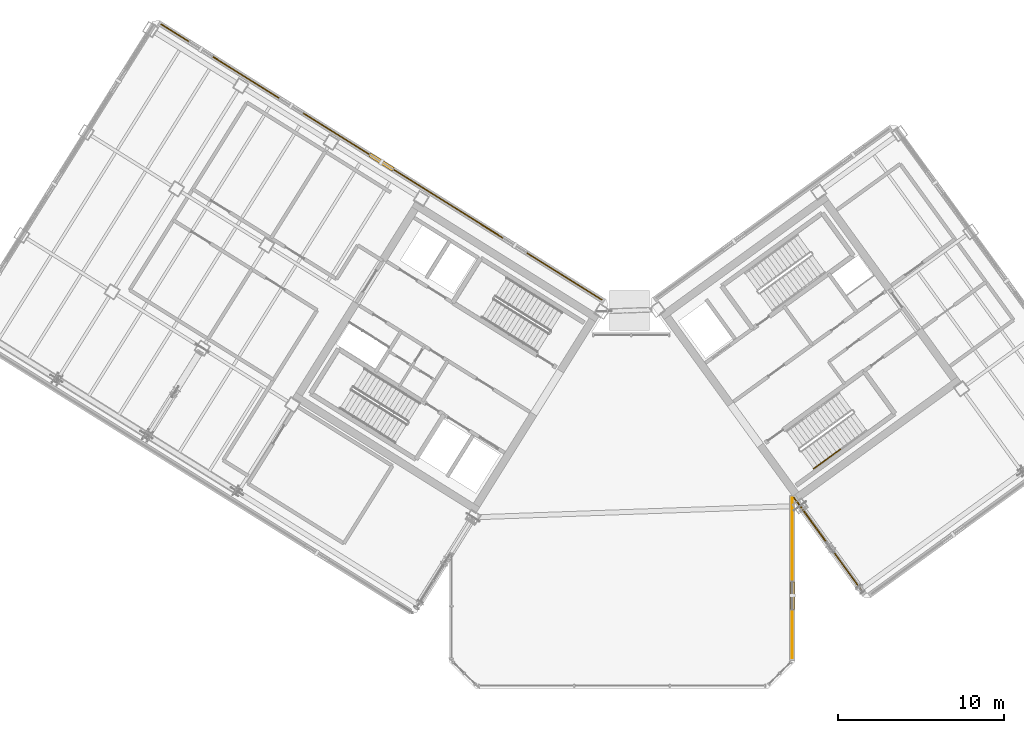
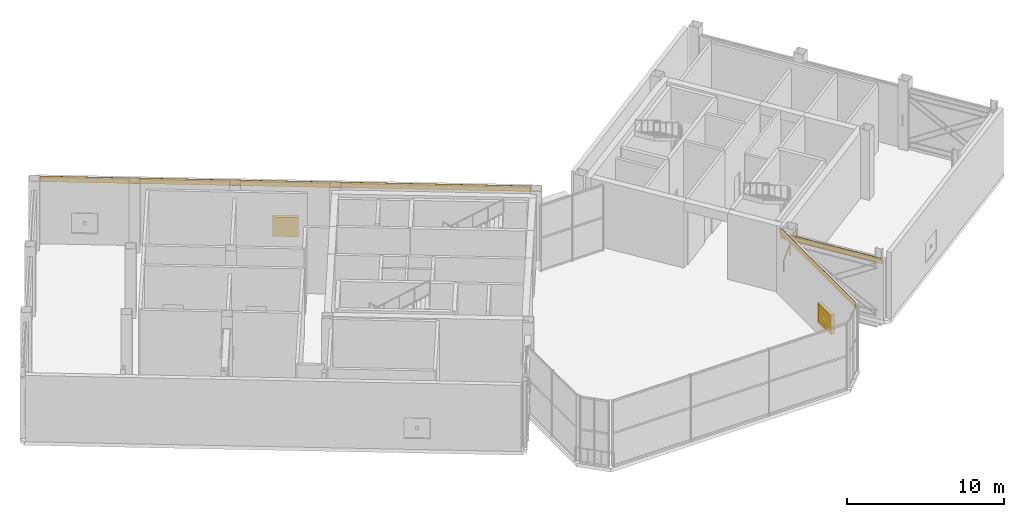
# One storey, part 29 of 32: 3 coverings, 2 shading devices, 1 railing.
"""IFC4 building model written with IfcOpenShell, lengths in metres."""

import ifcopenshell
import ifcopenshell.guid

model = None  # the IFC model being written
_history = None  # IfcOwnerHistory: only IFC2X3 demands one
_inside = {}  # id of a spatial element -> (the spatial element, [elements in it])
_under = {}  # id of a project, library or spatial element -> (it, [spatial elements below it])
_declared = {}  # id of a project -> (the project, [libraries it declares])
_typed = {}  # id of a type object -> (the type object, [elements of that type])
_made_of = {}  # id of a material, layer set ... -> (it, [elements and type objects made of it])


def new_model(schema):
    """Start an empty IFC model of exactly this schema.

    Asked for "IFC4X3", IfcOpenShell would pick the latest addendum, in which some entities
    have other attributes; the version numbers below select the first issue.
    IFC2X3 requires an IfcOwnerHistory on every rooted entity: one is made here for all.
    """
    global model, _history
    if schema == "IFC4X3":
        model = ifcopenshell.file(schema_version=(4, 3, 0, 0))
    else:
        model = ifcopenshell.file(schema=schema)
    _inside.clear()
    _under.clear()
    _declared.clear()
    _typed.clear()
    _made_of.clear()
    _history = None
    if model.schema == "IFC2X3":
        org = make("IfcOrganization", Name="unknown")
        user = make(
            "IfcPersonAndOrganization",
            ThePerson=make("IfcPerson", FamilyName="unknown"),
            TheOrganization=org,
        )
        app = make(
            "IfcApplication",
            ApplicationDeveloper=org,
            Version="unknown",
            ApplicationFullName="unknown",
            ApplicationIdentifier="unknown",
        )
        _history = make(
            "IfcOwnerHistory",
            OwningUser=user,
            OwningApplication=app,
            ChangeAction="ADDED",
            CreationDate=0,
        )
    return model


def make(cls, **values):
    """One entity of the class cls with the attributes given. An attribute that is None is left unset."""
    return model.create_entity(
        cls, **{name: value for name, value in values.items() if value is not None}
    )


def rooted(cls, **values):
    """An entity with a GlobalId (a new one), such as an element, a storey or a relation."""
    return make(cls, GlobalId=ifcopenshell.guid.new(), OwnerHistory=_history, **values)


def si_unit(unit_type, name, prefix=None):
    """IfcSIUnit, for example si_unit("LENGTHUNIT", "METRE", prefix="MILLI")."""
    return make("IfcSIUnit", UnitType=unit_type, Prefix=prefix, Name=name)


def assignment(units):
    """IfcUnitAssignment: the units of a project."""
    return None if units is None else make("IfcUnitAssignment", Units=units)


def point(xyz):
    """IfcCartesianPoint."""
    return None if xyz is None else make("IfcCartesianPoint", Coordinates=xyz)


def direction(xyz):
    """IfcDirection."""
    return None if xyz is None else make("IfcDirection", DirectionRatios=xyz)


def frame(location, z_axis=None, x_axis=None):
    """IfcAxis2Placement3D, a coordinate frame: its origin and axes. An axis left out is left unset."""
    return make(
        "IfcAxis2Placement3D",
        Location=point(location),
        Axis=direction(z_axis),
        RefDirection=direction(x_axis),
    )


def frame_2d(location, x_axis=None):
    """IfcAxis2Placement2D, a coordinate frame in the plane: its origin and x axis."""
    return make(
        "IfcAxis2Placement2D", Location=point(location), RefDirection=direction(x_axis)
    )


def origin():
    """The frame at (0, 0, 0) with its axes left unset."""
    return frame((0.0, 0.0, 0.0))


def origin_2d():
    """The frame at (0, 0) in the plane with its x axis left unset."""
    return frame_2d((0.0, 0.0))


def place(relative_to, where):
    """IfcLocalPlacement: puts the frame where relative to a parent placement (None: the world)."""
    return make(
        "IfcLocalPlacement", PlacementRelTo=relative_to, RelativePlacement=where
    )


def context(
    kind, dimensions, precision=None, world=None, true_north=None, identifier=None
):
    """IfcGeometricRepresentationContext, for example the 3D "Model" context."""
    return make(
        "IfcGeometricRepresentationContext",
        ContextIdentifier=identifier,
        ContextType=kind,
        CoordinateSpaceDimension=dimensions,
        Precision=precision,
        WorldCoordinateSystem=world,
        TrueNorth=true_north,
    )


def subcontext(parent, identifier, kind, view, scale=None):
    """IfcGeometricRepresentationSubContext, for example "Body" below "Model"."""
    return make(
        "IfcGeometricRepresentationSubContext",
        ContextIdentifier=identifier,
        ContextType=kind,
        ParentContext=parent,
        TargetScale=scale,
        TargetView=view,
    )


def project(units=None, contexts=None):
    """IfcProject with its units and contexts."""
    return rooted(
        "IfcProject",
        Name="project",
        RepresentationContexts=contexts,
        UnitsInContext=assignment(units),
    )


def spatial(cls, under=None, at=None, **own):
    """A site, building, storey or space (cls), placed at a placement, below another one or the project."""
    s = rooted(cls, ObjectPlacement=at, **own)
    if under is not None:
        _under.setdefault(under.id(), (under, []))[1].append(s)
    return s


def profile(cls, at=None, kind="AREA", **sizes):
    """A parametric profile (cls). Its sizes go by their IFC names, for example OverallWidth=200.0."""
    return make(cls, ProfileType=kind, Position=at, **sizes)


def rectangle(**sizes):
    """IfcRectangleProfileDef."""
    return profile("IfcRectangleProfileDef", **sizes)


def extrude(swept, where, along, depth):
    """IfcExtrudedAreaSolid: the profile swept, set in the frame where, extruded along a direction by depth."""
    return make(
        "IfcExtrudedAreaSolid",
        SweptArea=swept,
        Position=where,
        ExtrudedDirection=direction(along),
        Depth=depth,
    )


def shape(context_of_items, identifier, shape_type, items):
    """IfcShapeRepresentation: the items that make up one representation, for example the "Body"."""
    return make(
        "IfcShapeRepresentation",
        ContextOfItems=context_of_items,
        RepresentationIdentifier=identifier,
        RepresentationType=shape_type,
        Items=items,
    )


def source(mapping_origin, context_of_items, identifier, shape_type, items):
    """IfcRepresentationMap: a shape defined once, which mapped items show again and again."""
    return make(
        "IfcRepresentationMap",
        MappingOrigin=mapping_origin,
        MappedRepresentation=shape(context_of_items, identifier, shape_type, items),
    )


def transform(
    local_origin,
    x_axis=None,
    y_axis=None,
    z_axis=None,
    scale=None,
    scale2=None,
    scale3=None,
    uniform=True,
):
    """IfcCartesianTransformationOperator3D, or its non-uniform kind. x_axis, y_axis, z_axis: its Axis1, 2, 3."""
    if uniform:
        return make(
            "IfcCartesianTransformationOperator3D",
            Axis1=direction(x_axis),
            Axis2=direction(y_axis),
            LocalOrigin=point(local_origin),
            Scale=scale,
            Axis3=direction(z_axis),
        )
    return make(
        "IfcCartesianTransformationOperator3DnonUniform",
        Axis1=direction(x_axis),
        Axis2=direction(y_axis),
        LocalOrigin=point(local_origin),
        Scale=scale,
        Axis3=direction(z_axis),
        Scale2=scale2,
        Scale3=scale3,
    )


def mapped(mapping_source, mapping_target):
    """IfcMappedItem: shows the shape of a source again, moved by a transform."""
    return make(
        "IfcMappedItem", MappingSource=mapping_source, MappingTarget=mapping_target
    )


def material(Name=None, Category=None):
    """IfcMaterial."""
    return make("IfcMaterial", Name=Name, Category=Category)


def layer(
    of_material, thickness, ventilated=None, Name=None, Category=None, Priority=None
):
    """IfcMaterialLayer: one layer of a wall or slab, of a material (None: an air gap)."""
    return make(
        "IfcMaterialLayer",
        Material=of_material,
        LayerThickness=thickness,
        IsVentilated=ventilated,
        Name=Name,
        Category=Category,
        Priority=Priority,
    )


def layer_set(layers, Name=None):
    """IfcMaterialLayerSet."""
    return make("IfcMaterialLayerSet", MaterialLayers=layers, LayerSetName=Name)


def made_of(thing, what):
    """Note that an element or type object is made of a material, layer set ...; save() writes the relation."""
    if what is not None:
        _made_of.setdefault(what.id(), (what, []))[1].append(thing)
    return thing


def type_object(cls, material=None, **own):
    """A type object (cls), such as IfcWallType, which elements share."""
    return made_of(rooted(cls, **own), material)


def element(
    cls,
    number,
    at=None,
    inside=None,
    cuts=None,
    type_object=None,
    material=None,
    context=None,
    identifier="Body",
    shape_type=None,
    held_by="IfcProductDefinitionShape",
    body=None,
    shapes=None,
    **own,
):
    """One element of the class cls, such as IfcWall. Its Tag is "e" and its number.

    at: its placement. inside: the storey or other place that contains it. cuts: it is an
    opening in that element (IfcRelVoidsElement). A single representation is given by context,
    identifier, shape_type and body (its items); several are given by shapes. held_by: the class
    of the entity that holds the representations. save() writes the other relations.
    """
    e = rooted(cls, Tag="e%d" % number, ObjectPlacement=at, **own)
    if body is not None:
        shapes = [shape(context, identifier, shape_type, body)]
    if shapes is not None:
        e.Representation = make(held_by, Representations=shapes)
    if inside is not None:
        _inside.setdefault(inside.id(), (inside, []))[1].append(e)
    if cuts is not None:
        rooted(
            "IfcRelVoidsElement", RelatingBuildingElement=cuts, RelatedOpeningElement=e
        )
    if type_object is not None:
        _typed.setdefault(type_object.id(), (type_object, []))[1].append(e)
    return made_of(e, material)


def aggregate(whole, parts):
    """IfcRelAggregates: a whole, such as a stair, and the parts it consists of."""
    return rooted("IfcRelAggregates", RelatingObject=whole, RelatedObjects=parts)


def save(model, path):
    """Write the relations noted so far, then the file.

    IfcRelAggregates (storeys below a building ...), IfcRelContainedInSpatialStructure (elements
    in a storey), IfcRelDefinesByType, IfcRelAssociatesMaterial and IfcRelDeclares: one each for
    every whole, place, type object, material and project.
    """
    for whole, parts in _under.values():
        aggregate(whole, parts)
    for where, things in _inside.values():
        rooted(
            "IfcRelContainedInSpatialStructure",
            RelatedElements=things,
            RelatingStructure=where,
        )
    for kind, things in _typed.values():
        rooted("IfcRelDefinesByType", RelatedObjects=things, RelatingType=kind)
    for what, things in _made_of.values():
        rooted("IfcRelAssociatesMaterial", RelatedObjects=things, RelatingMaterial=what)
    for by, libraries in _declared.values():
        rooted("IfcRelDeclares", RelatingContext=by, RelatedDefinitions=libraries)
    model.write(path)


model = new_model("IFC4")

# Units and contexts
model_context = context("Model", 3, precision=1e-05, world=origin(), true_north=direction((0.0, 1.0)))
body_context = subcontext(model_context, "Body", "Model", "MODEL_VIEW")
ifc_project = project(units=[si_unit("LENGTHUNIT", "METRE"), si_unit("AREAUNIT", "SQUARE_METRE"), si_unit("VOLUMEUNIT", "CUBIC_METRE"), si_unit("PLANEANGLEUNIT", "RADIAN"), si_unit("MASSUNIT", "GRAM", prefix="KILO")], contexts=[model_context])

# Site, building, storey
site_placement = place(None, origin())
site = spatial("IfcSite", under=ifc_project, at=site_placement, CompositionType="ELEMENT")
building_placement = place(site_placement, origin())
building = spatial("IfcBuilding", under=site, at=building_placement, Name="Tlacorven Tower", CompositionType="ELEMENT")
storey_placement = place(building_placement, frame((0.0, 0.0, 245.699951171875)))
storey = spatial("IfcBuildingStorey", under=building, at=storey_placement, Name="L62", CompositionType="ELEMENT", Elevation=245.699951171875)

# Coverings
ifc_material_1 = material(Name="Precast concrete C45/55", Category="concrete")
ifc_layer = layer(ifc_material_1, 0.06005859375)
ifc_layer_set = layer_set([ifc_layer], Name="Precast concrete C45/55")
covering_type = type_object("IfcCoveringType", Name="CV-CLD-TERC", PredefinedType="CLADDING", material=ifc_layer_set)
shared_shape_1 = source(origin(), body_context, "Body", "SweptSolid", [
    extrude(rectangle(XDim=31.287353515625, YDim=0.06005859375, at=origin_2d()), origin(), (0.0, 0.0, 1.0), 0.419921875),
])
covering_1_placement = place(storey_placement, frame((27.5322265625, 33.455810546875, 4.72998046875), z_axis=(0.0, 0.0, 1.0), x_axis=(0.84804812172, -0.529919223323, 0.0)))
element("IfcCovering", 1, at=covering_1_placement, inside=storey, type_object=covering_type, Name="L62 Masonry-Frame Spandrel Cladding 3", PredefinedType="CLADDING", context=body_context, shape_type="MappedRepresentation", body=[
    mapped(shared_shape_1, transform((0.0, 0.0, 0.0), scale=1.0)),
])
shared_shape_2 = source(origin(), body_context, "Body", "SweptSolid", [
    extrude(rectangle(XDim=9.647705078125, YDim=0.06005859375, at=origin_2d()), origin(), (0.0, 0.0, 1.0), 0.419921875),
])
covering_2_placement = place(storey_placement, frame((52.239990234375, 8.440185546875, 4.72998046875), z_axis=(0.0, 0.0, 1.0), x_axis=(0.0, -1.0, 0.0)))
element("IfcCovering", 2, at=covering_2_placement, inside=storey, type_object=covering_type, Name="L62 Masonry-Frame Spandrel Cladding 8", PredefinedType="CLADDING", context=body_context, shape_type="MappedRepresentation", body=[
    mapped(shared_shape_2, transform((0.0, 0.0, 0.0), scale=1.0)),
])
shared_shape_3 = source(origin(), body_context, "Body", "SweptSolid", [
    extrude(rectangle(XDim=7.08544921875, YDim=0.06005859375, at=origin_2d()), origin(), (0.0, 0.0, 1.0), 0.419921875),
])
covering_3_placement = place(storey_placement, frame((54.41064453125, 10.426513671875, 4.255126953125), z_axis=(0.0, 0.0, 1.0), x_axis=(-0.587785622053, 0.809016725728, 0.0)))
element("IfcCovering", 3, at=covering_3_placement, inside=storey, type_object=covering_type, Name="L62 Masonry-Frame Spandrel Cladding 7", PredefinedType="CLADDING", context=body_context, shape_type="MappedRepresentation", body=[
    mapped(shared_shape_3, transform((0.0, 0.0, 0.0), scale=1.0)),
])

# Shading devices
ifc_material_2 = material(Name="Anodised bronze aluminium acoustic louvre", Category="aluminium")
shading_device_type = type_object("IfcShadingDeviceType", Name="SH-LVR-WND", PredefinedType="JALOUSIE", material=ifc_material_2)
shared_shape_4 = source(origin(), body_context, "Body", "SweptSolid", [
    extrude(rectangle(XDim=1.659912109375, YDim=0.25, at=origin_2d()), origin(), (0.0, 0.0, 1.0), 1.5),
])
for number, where, z_axis, x_axis, name in (
    (4, (27.5322265625, 33.4560546875, 0.900146484375), (0.0, 0.0, 1.0), (0.84804812172, -0.529919223323, 0.0), "L62 Storm-Resistant Acoustic Louvre Bank 3.3"),
    (5, (52.239990234375, 7.374267578125, 0.900146484375), (0.0, 0.0, 1.0), (0.0, -1.0, 0.0), "L62 Storm-Resistant Acoustic Louvre Bank 8.1"),
):
    element("IfcShadingDevice", number, at=place(storey_placement, frame(where, z_axis=z_axis, x_axis=x_axis)), inside=storey, type_object=shading_device_type, Name=name, PredefinedType="JALOUSIE", context=body_context, shape_type="MappedRepresentation", body=[
        mapped(shared_shape_4, transform((0.0, 0.0, 0.0), scale=1.0)),
    ])

# Railing
ifc_material_3 = material(Name="Aluminium and painted steel balustrade", Category="steel")
railing_type = type_object("IfcRailingType", Name="RL-HND-0900", PredefinedType="HANDRAIL", material=ifc_material_3)
shared_shape_5 = source(origin(), body_context, "Body", "SweptSolid", [
    extrude(rectangle(XDim=0.048095703125, YDim=0.048095703125, at=origin_2d()), frame((0.0, 0.0, 0.8759765625), z_axis=(0.680524908878, 0.494441423402, 0.540752741297), x_axis=(-0.587793916777, 0.809010699188, 0.0)), (0.0, 0.0, 1.0), 2.330078125),
    extrude(rectangle(XDim=0.0419921875, YDim=0.0419921875, at=origin_2d()), origin(), (0.0, 0.0, 1.0), 0.851806640625),
    extrude(rectangle(XDim=0.0419921875, YDim=0.0419921875, at=origin_2d()), frame((0.79296875, 0.576171875, 0.6298828125)), (0.0, 0.0, 1.0), 0.851806640625),
    extrude(rectangle(XDim=0.0419921875, YDim=0.0419921875, at=origin_2d()), frame((1.585693359375, 1.152099609375, 1.260009765625)), (0.0, 0.0, 1.0), 0.851806640625),
])
railing_placement = place(storey_placement, frame((53.53369140625, 15.01904296875, 0.179931640625)))
element("IfcRailing", 6, at=railing_placement, inside=storey, type_object=railing_type, Name="L62 ST-E2 stair handrail 1", PredefinedType="HANDRAIL", context=body_context, shape_type="MappedRepresentation", body=[
    mapped(shared_shape_5, transform((0.0, 0.0, 0.0), scale=1.0)),
])

save(model, "model.ifc")
